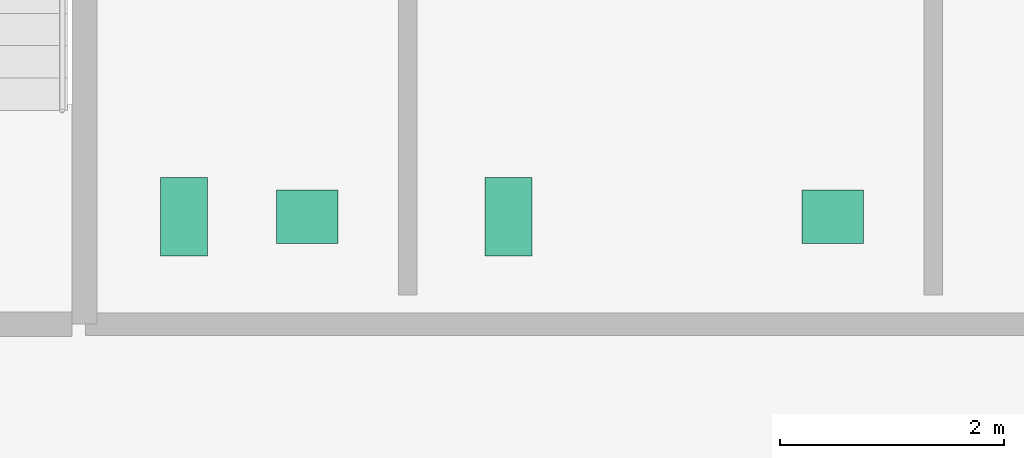
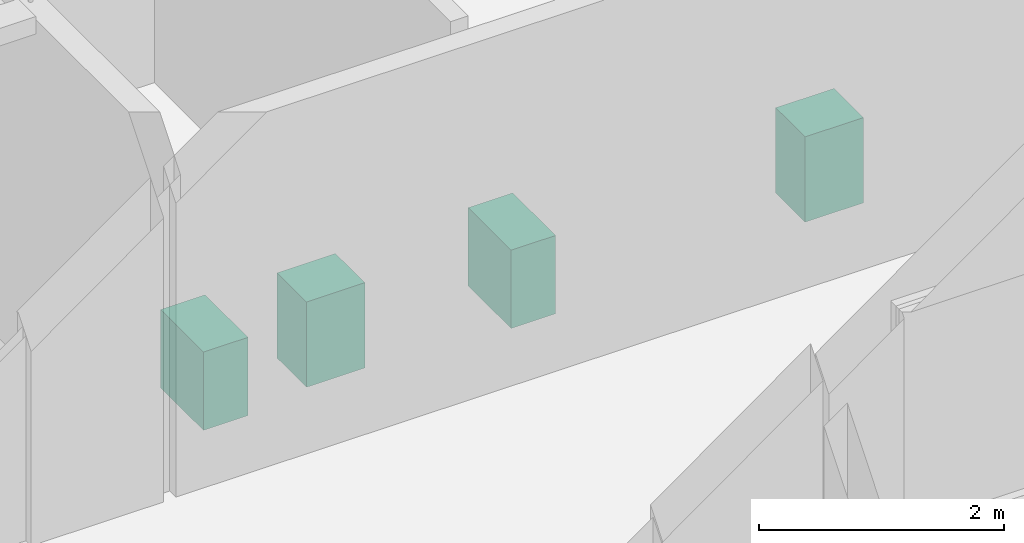
# One storey, part 13 of 13: 4 sanitary terminals.
"""IFC4 building model written with IfcOpenShell, lengths in metres."""

import ifcopenshell
import ifcopenshell.guid

model = None  # the IFC model being written
_history = None  # IfcOwnerHistory: only IFC2X3 demands one
_inside = {}  # id of a spatial element -> (the spatial element, [elements in it])
_under = {}  # id of a project, library or spatial element -> (it, [spatial elements below it])
_declared = {}  # id of a project -> (the project, [libraries it declares])
_typed = {}  # id of a type object -> (the type object, [elements of that type])
_made_of = {}  # id of a material, layer set ... -> (it, [elements and type objects made of it])


def new_model(schema):
    """Start an empty IFC model of exactly this schema.

    Asked for "IFC4X3", IfcOpenShell would pick the latest addendum, in which some entities
    have other attributes; the version numbers below select the first issue.
    IFC2X3 requires an IfcOwnerHistory on every rooted entity: one is made here for all.
    """
    global model, _history
    if schema == "IFC4X3":
        model = ifcopenshell.file(schema_version=(4, 3, 0, 0))
    else:
        model = ifcopenshell.file(schema=schema)
    _inside.clear()
    _under.clear()
    _declared.clear()
    _typed.clear()
    _made_of.clear()
    _history = None
    if model.schema == "IFC2X3":
        org = make("IfcOrganization", Name="unknown")
        user = make(
            "IfcPersonAndOrganization",
            ThePerson=make("IfcPerson", FamilyName="unknown"),
            TheOrganization=org,
        )
        app = make(
            "IfcApplication",
            ApplicationDeveloper=org,
            Version="unknown",
            ApplicationFullName="unknown",
            ApplicationIdentifier="unknown",
        )
        _history = make(
            "IfcOwnerHistory",
            OwningUser=user,
            OwningApplication=app,
            ChangeAction="ADDED",
            CreationDate=0,
        )
    return model


def make(cls, **values):
    """One entity of the class cls with the attributes given. An attribute that is None is left unset."""
    return model.create_entity(
        cls, **{name: value for name, value in values.items() if value is not None}
    )


def rooted(cls, **values):
    """An entity with a GlobalId (a new one), such as an element, a storey or a relation."""
    return make(cls, GlobalId=ifcopenshell.guid.new(), OwnerHistory=_history, **values)


def si_unit(unit_type, name, prefix=None):
    """IfcSIUnit, for example si_unit("LENGTHUNIT", "METRE", prefix="MILLI")."""
    return make("IfcSIUnit", UnitType=unit_type, Prefix=prefix, Name=name)


def assignment(units):
    """IfcUnitAssignment: the units of a project."""
    return None if units is None else make("IfcUnitAssignment", Units=units)


def point(xyz):
    """IfcCartesianPoint."""
    return None if xyz is None else make("IfcCartesianPoint", Coordinates=xyz)


def direction(xyz):
    """IfcDirection."""
    return None if xyz is None else make("IfcDirection", DirectionRatios=xyz)


def frame(location, z_axis=None, x_axis=None):
    """IfcAxis2Placement3D, a coordinate frame: its origin and axes. An axis left out is left unset."""
    return make(
        "IfcAxis2Placement3D",
        Location=point(location),
        Axis=direction(z_axis),
        RefDirection=direction(x_axis),
    )


def frame_2d(location, x_axis=None):
    """IfcAxis2Placement2D, a coordinate frame in the plane: its origin and x axis."""
    return make(
        "IfcAxis2Placement2D", Location=point(location), RefDirection=direction(x_axis)
    )


def origin():
    """The frame at (0, 0, 0) with its axes left unset."""
    return frame((0.0, 0.0, 0.0))


def origin_2d():
    """The frame at (0, 0) in the plane with its x axis left unset."""
    return frame_2d((0.0, 0.0))


def place(relative_to, where):
    """IfcLocalPlacement: puts the frame where relative to a parent placement (None: the world)."""
    return make(
        "IfcLocalPlacement", PlacementRelTo=relative_to, RelativePlacement=where
    )


def context(
    kind, dimensions, precision=None, world=None, true_north=None, identifier=None
):
    """IfcGeometricRepresentationContext, for example the 3D "Model" context."""
    return make(
        "IfcGeometricRepresentationContext",
        ContextIdentifier=identifier,
        ContextType=kind,
        CoordinateSpaceDimension=dimensions,
        Precision=precision,
        WorldCoordinateSystem=world,
        TrueNorth=true_north,
    )


def subcontext(parent, identifier, kind, view, scale=None):
    """IfcGeometricRepresentationSubContext, for example "Body" below "Model"."""
    return make(
        "IfcGeometricRepresentationSubContext",
        ContextIdentifier=identifier,
        ContextType=kind,
        ParentContext=parent,
        TargetScale=scale,
        TargetView=view,
    )


def project(units=None, contexts=None):
    """IfcProject with its units and contexts."""
    return rooted(
        "IfcProject",
        Name="project",
        RepresentationContexts=contexts,
        UnitsInContext=assignment(units),
    )


def spatial(cls, under=None, at=None, **own):
    """A site, building, storey or space (cls), placed at a placement, below another one or the project."""
    s = rooted(cls, ObjectPlacement=at, **own)
    if under is not None:
        _under.setdefault(under.id(), (under, []))[1].append(s)
    return s


def profile(cls, at=None, kind="AREA", **sizes):
    """A parametric profile (cls). Its sizes go by their IFC names, for example OverallWidth=200.0."""
    return make(cls, ProfileType=kind, Position=at, **sizes)


def rectangle(**sizes):
    """IfcRectangleProfileDef."""
    return profile("IfcRectangleProfileDef", **sizes)


def extrude(swept, where, along, depth):
    """IfcExtrudedAreaSolid: the profile swept, set in the frame where, extruded along a direction by depth."""
    return make(
        "IfcExtrudedAreaSolid",
        SweptArea=swept,
        Position=where,
        ExtrudedDirection=direction(along),
        Depth=depth,
    )


def shape(context_of_items, identifier, shape_type, items):
    """IfcShapeRepresentation: the items that make up one representation, for example the "Body"."""
    return make(
        "IfcShapeRepresentation",
        ContextOfItems=context_of_items,
        RepresentationIdentifier=identifier,
        RepresentationType=shape_type,
        Items=items,
    )


def material(Name=None, Category=None):
    """IfcMaterial."""
    return make("IfcMaterial", Name=Name, Category=Category)


def made_of(thing, what):
    """Note that an element or type object is made of a material, layer set ...; save() writes the relation."""
    if what is not None:
        _made_of.setdefault(what.id(), (what, []))[1].append(thing)
    return thing


def type_object(cls, material=None, **own):
    """A type object (cls), such as IfcWallType, which elements share."""
    return made_of(rooted(cls, **own), material)


def element(
    cls,
    number,
    at=None,
    inside=None,
    cuts=None,
    type_object=None,
    material=None,
    context=None,
    identifier="Body",
    shape_type=None,
    held_by="IfcProductDefinitionShape",
    body=None,
    shapes=None,
    **own,
):
    """One element of the class cls, such as IfcWall. Its Tag is "e" and its number.

    at: its placement. inside: the storey or other place that contains it. cuts: it is an
    opening in that element (IfcRelVoidsElement). A single representation is given by context,
    identifier, shape_type and body (its items); several are given by shapes. held_by: the class
    of the entity that holds the representations. save() writes the other relations.
    """
    e = rooted(cls, Tag="e%d" % number, ObjectPlacement=at, **own)
    if body is not None:
        shapes = [shape(context, identifier, shape_type, body)]
    if shapes is not None:
        e.Representation = make(held_by, Representations=shapes)
    if inside is not None:
        _inside.setdefault(inside.id(), (inside, []))[1].append(e)
    if cuts is not None:
        rooted(
            "IfcRelVoidsElement", RelatingBuildingElement=cuts, RelatedOpeningElement=e
        )
    if type_object is not None:
        _typed.setdefault(type_object.id(), (type_object, []))[1].append(e)
    return made_of(e, material)


def aggregate(whole, parts):
    """IfcRelAggregates: a whole, such as a stair, and the parts it consists of."""
    return rooted("IfcRelAggregates", RelatingObject=whole, RelatedObjects=parts)


def save(model, path):
    """Write the relations noted so far, then the file.

    IfcRelAggregates (storeys below a building ...), IfcRelContainedInSpatialStructure (elements
    in a storey), IfcRelDefinesByType, IfcRelAssociatesMaterial and IfcRelDeclares: one each for
    every whole, place, type object, material and project.
    """
    for whole, parts in _under.values():
        aggregate(whole, parts)
    for where, things in _inside.values():
        rooted(
            "IfcRelContainedInSpatialStructure",
            RelatedElements=things,
            RelatingStructure=where,
        )
    for kind, things in _typed.values():
        rooted("IfcRelDefinesByType", RelatedObjects=things, RelatingType=kind)
    for what, things in _made_of.values():
        rooted("IfcRelAssociatesMaterial", RelatedObjects=things, RelatingMaterial=what)
    for by, libraries in _declared.values():
        rooted("IfcRelDeclares", RelatingContext=by, RelatedDefinitions=libraries)
    model.write(path)


model = new_model("IFC4")

# Units and contexts
model_context = context("Model", 3, precision=1e-05, world=origin(), true_north=direction((0.0, 1.0)))
body_context = subcontext(model_context, "Body", "Model", "MODEL_VIEW")
ifc_project = project(units=[si_unit("LENGTHUNIT", "METRE"), si_unit("AREAUNIT", "SQUARE_METRE"), si_unit("VOLUMEUNIT", "CUBIC_METRE"), si_unit("PLANEANGLEUNIT", "RADIAN"), si_unit("MASSUNIT", "GRAM", prefix="KILO")], contexts=[model_context])

# Site, building, storey
site_placement = place(None, origin())
site = spatial("IfcSite", under=ifc_project, at=site_placement, CompositionType="ELEMENT")
building_placement = place(site_placement, origin())
building = spatial("IfcBuilding", under=site, at=building_placement, Name="Norrvale University Quadrangle", CompositionType="ELEMENT")
storey_placement = place(building_placement, frame((0.0, 0.0, 66.0)))
storey = spatial("IfcBuildingStorey", under=building, at=storey_placement, Name="L16", CompositionType="ELEMENT", Elevation=66.0)

# Sanitary terminals
ifc_material = material(Name="Vitreous China Sanitaryware")
sanitary_terminal_type_1 = type_object("IfcSanitaryTerminalType", Name="Sanitary Wash Basin", PredefinedType="WASHHANDBASIN", material=ifc_material)
for number, where, z_axis, x_axis, name in (
    (1, (8.300048828125, 41.10009765625, 0.0), (0.0, 0.0, 1.0), (1.0, 0.0, 0.0), "Accessible Countertop Washbasin L16-1"),
    (2, (13.0, 41.10009765625, 0.0), (0.0, 0.0, 1.0), (1.0, 0.0, 0.0), "Accessible Countertop Washbasin L16-2"),
):
    element("IfcSanitaryTerminal", number, at=place(storey_placement, frame(where, z_axis=z_axis, x_axis=x_axis)), inside=storey, type_object=sanitary_terminal_type_1, Name=name, PredefinedType="WASHHANDBASIN", context=body_context, shape_type="SweptSolid", body=[
        extrude(rectangle(XDim=0.550048828125, YDim=0.47998046875, at=origin_2d()), origin(), (0.0, 0.0, 1.0), 0.85009765625),
    ])
sanitary_terminal_type_2 = type_object("IfcSanitaryTerminalType", Name="Sanitary Water Closet", PredefinedType="TOILETPAN", material=ifc_material)
for number, where, z_axis, x_axis, name in (
    (3, (7.199951171875, 41.10009765625, 0.0), (0.0, 0.0, 1.0), (1.0, 0.0, 0.0), "Wall-Hung Water Closet L16-1"),
    (4, (10.10009765625, 41.10009765625, 0.0), (0.0, 0.0, 1.0), (1.0, 0.0, 0.0), "Wall-Hung Water Closet L16-2"),
):
    element("IfcSanitaryTerminal", number, at=place(storey_placement, frame(where, z_axis=z_axis, x_axis=x_axis)), inside=storey, type_object=sanitary_terminal_type_2, Name=name, PredefinedType="TOILETPAN", context=body_context, shape_type="SweptSolid", body=[
        extrude(rectangle(XDim=0.419921875, YDim=0.699951171875, at=origin_2d()), origin(), (0.0, 0.0, 1.0), 0.780029296875),
    ])

save(model, "model.ifc")
